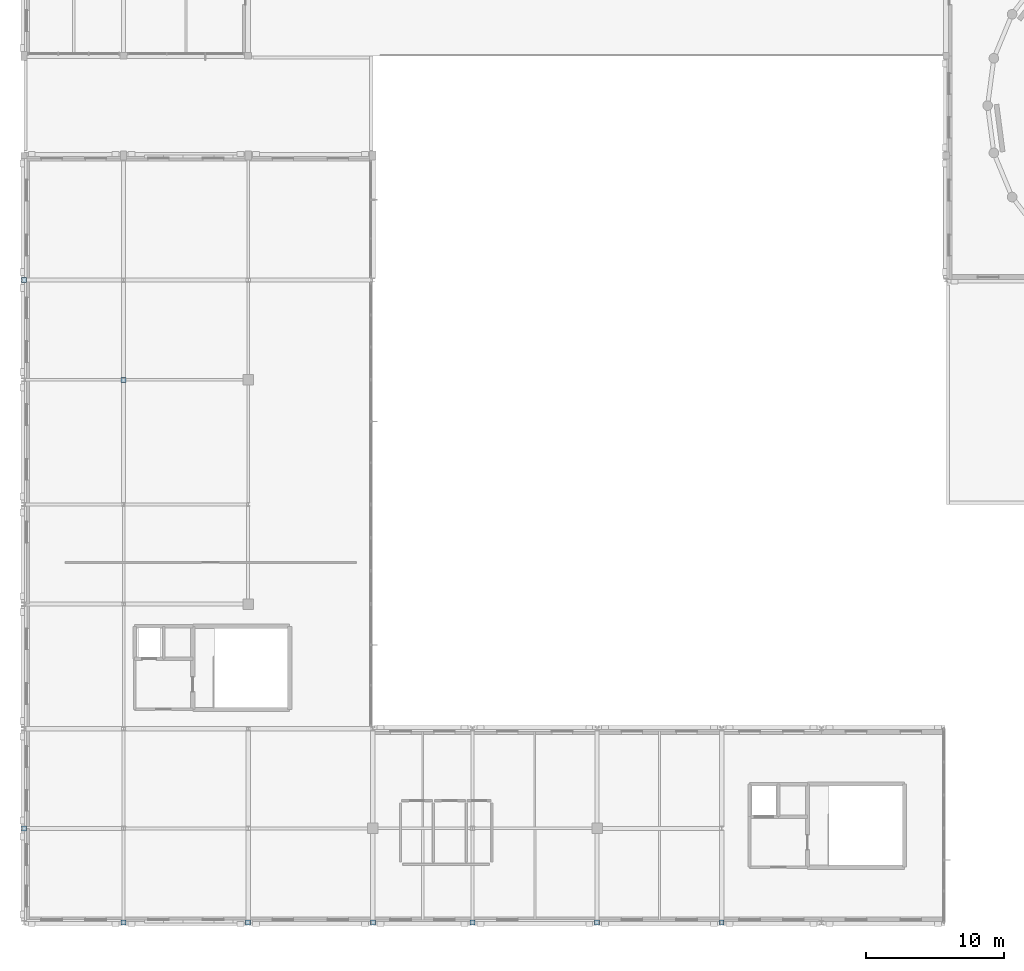
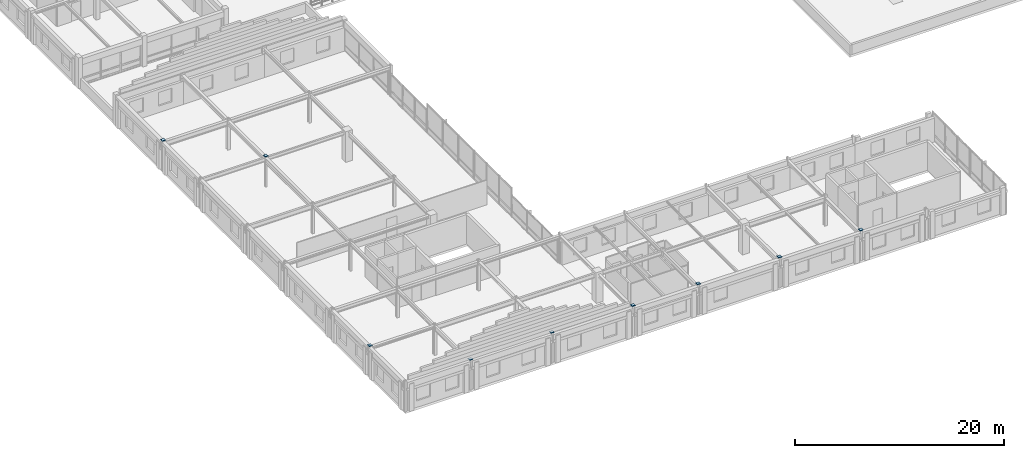
# One storey, part 44 of 74: 9 plates.
"""IFC4 building model written with IfcOpenShell, lengths in metres."""

from ifc_helpers import new_model, si_unit, direction, frame, origin, origin_2d, place, context, subcontext, project, spatial, rectangle, extrude, material, layer, layer_set, type_object, element, save


model = new_model("IFC4")

# Units and contexts
model_context = context("Model", 3, precision=1e-05, world=origin(), true_north=direction((0.0, 1.0)))
body_context = subcontext(model_context, "Body", "Model", "MODEL_VIEW")
ifc_project = project(units=[si_unit("LENGTHUNIT", "METRE"), si_unit("AREAUNIT", "SQUARE_METRE"), si_unit("VOLUMEUNIT", "CUBIC_METRE"), si_unit("PLANEANGLEUNIT", "RADIAN"), si_unit("MASSUNIT", "GRAM", prefix="KILO")], contexts=[model_context])

# Site, building, storey
site_placement = place(None, origin())
site = spatial("IfcSite", under=ifc_project, at=site_placement, CompositionType="ELEMENT")
building_placement = place(site_placement, origin())
building = spatial("IfcBuilding", under=site, at=building_placement, Name="Clarverna Civic Hall", CompositionType="ELEMENT")
storey_placement = place(building_placement, frame((0.0, 0.0, 13.199951171875)))
storey = spatial("IfcBuildingStorey", under=building, at=storey_placement, Name="L03", CompositionType="ELEMENT", Elevation=13.199951171875)

# Plates
ifc_material = material(Name="Steel S355", Category="steel")
ifc_layer = layer(ifc_material, 0.02001953125)
ifc_layer_set = layer_set([ifc_layer], Name="Steel S355")
plate_type = type_object("IfcPlateType", Name="NP-04", PredefinedType="SHEET", material=ifc_layer_set)
for number, where, z_axis, x_axis, name in (
    (1, (0.0, 6.800048828125, 3.59521484375), (0.0, 0.0, 1.0), (1.0, 0.0, 0.0), "NP-04-001"),
    (2, (0.0, 46.39990234375, 3.59521484375), (0.0, 0.0, 1.0), (1.0, 0.0, 0.0), "NP-04-002"),
    (3, (7.199951171875, 0.0, 3.59521484375), (0.0, 0.0, 1.0), (1.0, 0.0, 0.0), "NP-04-005"),
    (4, (7.199951171875, 39.199951171875, 3.59521484375), (0.0, 0.0, 1.0), (1.0, 0.0, 0.0), "NP-04-006"),
    (5, (16.199951171875, 0.0, 3.59521484375), (0.0, 0.0, 1.0), (1.0, 0.0, 0.0), "NP-04-009"),
    (6, (25.199951171875, 0.0, 3.59521484375), (0.0, 0.0, 1.0), (1.0, 0.0, 0.0), "NP-04-012"),
    (7, (32.39990234375, 0.0, 3.59521484375), (0.0, 0.0, 1.0), (1.0, 0.0, 0.0), "NP-04-014"),
    (8, (41.39990234375, 0.0, 3.59521484375), (0.0, 0.0, 1.0), (1.0, 0.0, 0.0), "NP-04-015"),
    (9, (50.39990234375, 0.0, 3.59521484375), (0.0, 0.0, 1.0), (1.0, 0.0, 0.0), "NP-04-017"),
):
    element("IfcPlate", number, at=place(storey_placement, frame(where, z_axis=z_axis, x_axis=x_axis)), inside=storey, type_object=plate_type, Name=name, PredefinedType="SHEET", context=body_context, shape_type="SweptSolid", body=[
        extrude(rectangle(XDim=0.360107421875, YDim=0.360107421875, at=origin_2d()), origin(), (0.0, 0.0, 1.0), 0.02490234375),
    ])

save(model, "model.ifc")
